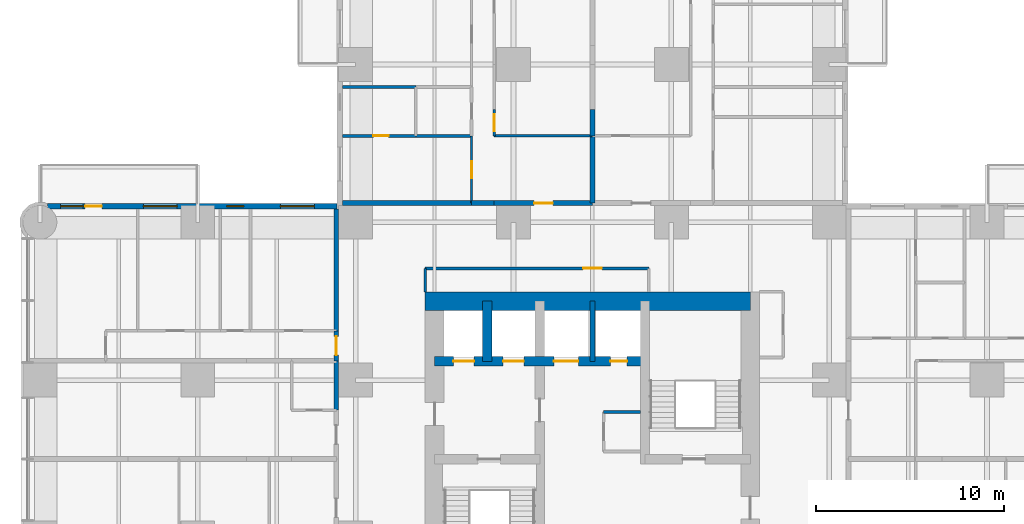
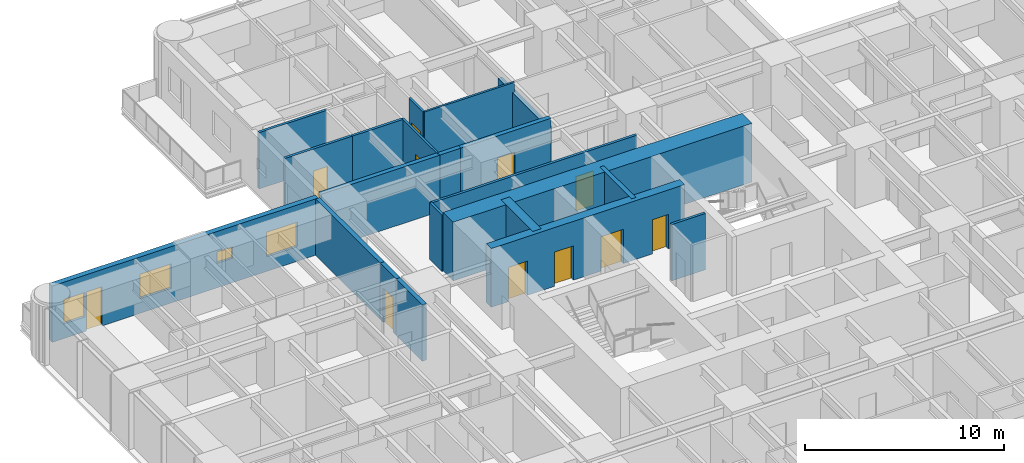
# One storey, part 12 of 17: 22 walls, 11 doors, 4 windows, 15 openings.
"""IFC4 building model written with IfcOpenShell, lengths in metres."""

import ifcopenshell
import ifcopenshell.guid

model = None  # the IFC model being written
_history = None  # IfcOwnerHistory: only IFC2X3 demands one
_inside = {}  # id of a spatial element -> (the spatial element, [elements in it])
_under = {}  # id of a project, library or spatial element -> (it, [spatial elements below it])
_declared = {}  # id of a project -> (the project, [libraries it declares])
_typed = {}  # id of a type object -> (the type object, [elements of that type])
_made_of = {}  # id of a material, layer set ... -> (it, [elements and type objects made of it])


def new_model(schema):
    """Start an empty IFC model of exactly this schema.

    Asked for "IFC4X3", IfcOpenShell would pick the latest addendum, in which some entities
    have other attributes; the version numbers below select the first issue.
    IFC2X3 requires an IfcOwnerHistory on every rooted entity: one is made here for all.
    """
    global model, _history
    if schema == "IFC4X3":
        model = ifcopenshell.file(schema_version=(4, 3, 0, 0))
    else:
        model = ifcopenshell.file(schema=schema)
    _inside.clear()
    _under.clear()
    _declared.clear()
    _typed.clear()
    _made_of.clear()
    _history = None
    if model.schema == "IFC2X3":
        org = make("IfcOrganization", Name="unknown")
        user = make(
            "IfcPersonAndOrganization",
            ThePerson=make("IfcPerson", FamilyName="unknown"),
            TheOrganization=org,
        )
        app = make(
            "IfcApplication",
            ApplicationDeveloper=org,
            Version="unknown",
            ApplicationFullName="unknown",
            ApplicationIdentifier="unknown",
        )
        _history = make(
            "IfcOwnerHistory",
            OwningUser=user,
            OwningApplication=app,
            ChangeAction="ADDED",
            CreationDate=0,
        )
    return model


def make(cls, **values):
    """One entity of the class cls with the attributes given. An attribute that is None is left unset."""
    return model.create_entity(
        cls, **{name: value for name, value in values.items() if value is not None}
    )


def rooted(cls, **values):
    """An entity with a GlobalId (a new one), such as an element, a storey or a relation."""
    return make(cls, GlobalId=ifcopenshell.guid.new(), OwnerHistory=_history, **values)


def si_unit(unit_type, name, prefix=None):
    """IfcSIUnit, for example si_unit("LENGTHUNIT", "METRE", prefix="MILLI")."""
    return make("IfcSIUnit", UnitType=unit_type, Prefix=prefix, Name=name)


def assignment(units):
    """IfcUnitAssignment: the units of a project."""
    return None if units is None else make("IfcUnitAssignment", Units=units)


def point(xyz):
    """IfcCartesianPoint."""
    return None if xyz is None else make("IfcCartesianPoint", Coordinates=xyz)


def direction(xyz):
    """IfcDirection."""
    return None if xyz is None else make("IfcDirection", DirectionRatios=xyz)


def frame(location, z_axis=None, x_axis=None):
    """IfcAxis2Placement3D, a coordinate frame: its origin and axes. An axis left out is left unset."""
    return make(
        "IfcAxis2Placement3D",
        Location=point(location),
        Axis=direction(z_axis),
        RefDirection=direction(x_axis),
    )


def frame_2d(location, x_axis=None):
    """IfcAxis2Placement2D, a coordinate frame in the plane: its origin and x axis."""
    return make(
        "IfcAxis2Placement2D", Location=point(location), RefDirection=direction(x_axis)
    )


def origin():
    """The frame at (0, 0, 0) with its axes left unset."""
    return frame((0.0, 0.0, 0.0))


def place(relative_to, where):
    """IfcLocalPlacement: puts the frame where relative to a parent placement (None: the world)."""
    return make(
        "IfcLocalPlacement", PlacementRelTo=relative_to, RelativePlacement=where
    )


def context(
    kind, dimensions, precision=None, world=None, true_north=None, identifier=None
):
    """IfcGeometricRepresentationContext, for example the 3D "Model" context."""
    return make(
        "IfcGeometricRepresentationContext",
        ContextIdentifier=identifier,
        ContextType=kind,
        CoordinateSpaceDimension=dimensions,
        Precision=precision,
        WorldCoordinateSystem=world,
        TrueNorth=true_north,
    )


def subcontext(parent, identifier, kind, view, scale=None):
    """IfcGeometricRepresentationSubContext, for example "Body" below "Model"."""
    return make(
        "IfcGeometricRepresentationSubContext",
        ContextIdentifier=identifier,
        ContextType=kind,
        ParentContext=parent,
        TargetScale=scale,
        TargetView=view,
    )


def project(units=None, contexts=None):
    """IfcProject with its units and contexts."""
    return rooted(
        "IfcProject",
        Name="project",
        RepresentationContexts=contexts,
        UnitsInContext=assignment(units),
    )


def spatial(cls, under=None, at=None, **own):
    """A site, building, storey or space (cls), placed at a placement, below another one or the project."""
    s = rooted(cls, ObjectPlacement=at, **own)
    if under is not None:
        _under.setdefault(under.id(), (under, []))[1].append(s)
    return s


def profile(cls, at=None, kind="AREA", **sizes):
    """A parametric profile (cls). Its sizes go by their IFC names, for example OverallWidth=200.0."""
    return make(cls, ProfileType=kind, Position=at, **sizes)


def rectangle(**sizes):
    """IfcRectangleProfileDef."""
    return profile("IfcRectangleProfileDef", **sizes)


def extrude(swept, where, along, depth):
    """IfcExtrudedAreaSolid: the profile swept, set in the frame where, extruded along a direction by depth."""
    return make(
        "IfcExtrudedAreaSolid",
        SweptArea=swept,
        Position=where,
        ExtrudedDirection=direction(along),
        Depth=depth,
    )


def shape(context_of_items, identifier, shape_type, items):
    """IfcShapeRepresentation: the items that make up one representation, for example the "Body"."""
    return make(
        "IfcShapeRepresentation",
        ContextOfItems=context_of_items,
        RepresentationIdentifier=identifier,
        RepresentationType=shape_type,
        Items=items,
    )


def material(Name=None, Category=None):
    """IfcMaterial."""
    return make("IfcMaterial", Name=Name, Category=Category)


def layer(
    of_material, thickness, ventilated=None, Name=None, Category=None, Priority=None
):
    """IfcMaterialLayer: one layer of a wall or slab, of a material (None: an air gap)."""
    return make(
        "IfcMaterialLayer",
        Material=of_material,
        LayerThickness=thickness,
        IsVentilated=ventilated,
        Name=Name,
        Category=Category,
        Priority=Priority,
    )


def layer_set(layers, Name=None):
    """IfcMaterialLayerSet."""
    return make("IfcMaterialLayerSet", MaterialLayers=layers, LayerSetName=Name)


def made_of(thing, what):
    """Note that an element or type object is made of a material, layer set ...; save() writes the relation."""
    if what is not None:
        _made_of.setdefault(what.id(), (what, []))[1].append(thing)
    return thing


def type_object(cls, material=None, **own):
    """A type object (cls), such as IfcWallType, which elements share."""
    return made_of(rooted(cls, **own), material)


def element(
    cls,
    number,
    at=None,
    inside=None,
    cuts=None,
    type_object=None,
    material=None,
    context=None,
    identifier="Body",
    shape_type=None,
    held_by="IfcProductDefinitionShape",
    body=None,
    shapes=None,
    **own,
):
    """One element of the class cls, such as IfcWall. Its Tag is "e" and its number.

    at: its placement. inside: the storey or other place that contains it. cuts: it is an
    opening in that element (IfcRelVoidsElement). A single representation is given by context,
    identifier, shape_type and body (its items); several are given by shapes. held_by: the class
    of the entity that holds the representations. save() writes the other relations.
    """
    e = rooted(cls, Tag="e%d" % number, ObjectPlacement=at, **own)
    if body is not None:
        shapes = [shape(context, identifier, shape_type, body)]
    if shapes is not None:
        e.Representation = make(held_by, Representations=shapes)
    if inside is not None:
        _inside.setdefault(inside.id(), (inside, []))[1].append(e)
    if cuts is not None:
        rooted(
            "IfcRelVoidsElement", RelatingBuildingElement=cuts, RelatedOpeningElement=e
        )
    if type_object is not None:
        _typed.setdefault(type_object.id(), (type_object, []))[1].append(e)
    return made_of(e, material)


def fill(opening, filler):
    """IfcRelFillsElement: the door or window that sits in an opening."""
    return rooted(
        "IfcRelFillsElement",
        RelatingOpeningElement=opening,
        RelatedBuildingElement=filler,
    )


def aggregate(whole, parts):
    """IfcRelAggregates: a whole, such as a stair, and the parts it consists of."""
    return rooted("IfcRelAggregates", RelatingObject=whole, RelatedObjects=parts)


def save(model, path):
    """Write the relations noted so far, then the file.

    IfcRelAggregates (storeys below a building ...), IfcRelContainedInSpatialStructure (elements
    in a storey), IfcRelDefinesByType, IfcRelAssociatesMaterial and IfcRelDeclares: one each for
    every whole, place, type object, material and project.
    """
    for whole, parts in _under.values():
        aggregate(whole, parts)
    for where, things in _inside.values():
        rooted(
            "IfcRelContainedInSpatialStructure",
            RelatedElements=things,
            RelatingStructure=where,
        )
    for kind, things in _typed.values():
        rooted("IfcRelDefinesByType", RelatedObjects=things, RelatingType=kind)
    for what, things in _made_of.values():
        rooted("IfcRelAssociatesMaterial", RelatedObjects=things, RelatingMaterial=what)
    for by, libraries in _declared.values():
        rooted("IfcRelDeclares", RelatingContext=by, RelatedDefinitions=libraries)
    model.write(path)


model = new_model("IFC4")

# Units and contexts
model_context = context("Model", 3, precision=1e-05, world=origin(), true_north=direction((0.0, 1.0)))
body_context = subcontext(model_context, "Body", "Model", "MODEL_VIEW")
ifc_project = project(units=[si_unit("LENGTHUNIT", "METRE"), si_unit("AREAUNIT", "SQUARE_METRE"), si_unit("VOLUMEUNIT", "CUBIC_METRE"), si_unit("PLANEANGLEUNIT", "RADIAN"), si_unit("MASSUNIT", "GRAM", prefix="KILO")], contexts=[model_context])

# Site, building, storey
site_placement = place(None, origin())
site = spatial("IfcSite", under=ifc_project, at=site_placement, CompositionType="ELEMENT")
building_placement = place(site_placement, origin())
building = spatial("IfcBuilding", under=site, at=building_placement, Name="Torre Alcanfor", CompositionType="ELEMENT")
storey_placement = place(building_placement, frame((0.0, 0.0, 48.89990234375)))
storey = spatial("IfcBuildingStorey", under=building, at=storey_placement, Name="L11", CompositionType="ELEMENT", Elevation=48.89990234375)

# Wall, opening, door
ifc_material_1 = material(Name="Concrete block masonry, hollow blocks NMX-C-404 9 MPa", Category="masonry")
ifc_layer_1 = layer(ifc_material_1, 0.25)
ifc_layer_set_1 = layer_set([ifc_layer_1], Name="Apartment entrance wall 250 EI 60")
wall_type_1 = type_object("IfcWallType", Name="Apartment entrance wall 250 EI 60", PredefinedType="PARTITIONING", material=ifc_layer_set_1)
wall_1_placement = place(storey_placement, frame((24.1708984375, 43.02490234375, 0.0), z_axis=(0.0, 0.0, 1.0), x_axis=(1.0, 0.0, 0.0)))
wall_1 = element("IfcWall", 1, at=wall_1_placement, inside=storey, type_object=wall_type_1, Name="Partition L11-CORR / L11-N1-ZAG", PredefinedType="PARTITIONING", context=body_context, shape_type="SweptSolid", body=[
    extrude(rectangle(XDim=5.22900390625, YDim=0.25, at=frame_2d((2.614501953125, 0.0))), origin(), (0.0, 0.0, 1.0), 3.4501953125),
])
opening_1_placement = place(wall_1_placement, frame((2.12890625, 0.0, 0.0)))
opening_1 = element("IfcOpeningElement", 2, at=opening_1_placement, cuts=wall_1, Name="Opening D-A1", PredefinedType="OPENING", context=body_context, shape_type="SweptSolid", body=[
    extrude(rectangle(XDim=1.0, YDim=2.10009765625, at=frame_2d((0.5, 1.050048828125))), frame((0.0, 0.135009765625, 0.0), z_axis=(0.0, -1.0, 0.0), x_axis=(1.0, 0.0, 0.0)), (0.0, 0.0, 1.0), 0.27001953125),
])
ifc_material_2 = material(Name="Galvanised steel sheet ASTM A653", Category="steel")
door_type_1 = type_object("IfcDoorType", Name="Apartment entrance door FD60 1000x2100", OperationType="SINGLE_SWING_LEFT", PredefinedType="DOOR", material=ifc_material_2)
door_1_placement = place(opening_1_placement, origin())
door_1 = element("IfcDoor", 3, at=door_1_placement, inside=storey, type_object=door_type_1, Name="Apartment entrance L11-N1", OperationType="SINGLE_SWING_RIGHT", OverallHeight=2.10009765625, OverallWidth=1.0, PredefinedType="DOOR", context=body_context, shape_type="SweptSolid", body=[
    extrude(rectangle(XDim=1.0, YDim=2.10009765625, at=frame_2d((0.5, 1.050048828125))), frame((0.0, 0.02490234375, 0.0), z_axis=(0.0, -1.0, 0.0), x_axis=(1.0, 0.0, 0.0)), (0.0, 0.0, 1.0), 0.050048828125),
])
fill(opening_1, door_1)

# Walls
wall_2_placement = place(storey_placement, frame((22.970947265625, 43.02490234375, 0.0), z_axis=(0.0, 0.0, 1.0), x_axis=(1.0, 0.0, 0.0)))
element("IfcWall", 4, at=wall_2_placement, inside=storey, type_object=wall_type_1, Name="Partition L11-CORR / L11-N1-HALL", PredefinedType="PARTITIONING", context=body_context, shape_type="SweptSolid", body=[
    extrude(rectangle(XDim=1.199951171875, YDim=0.25, at=frame_2d((0.60009765625, 0.0))), origin(), (0.0, 0.0, 1.0), 3.4501953125),
])
wall_3_placement = place(storey_placement, frame((16.10009765625, 43.02490234375, 0.0), z_axis=(0.0, 0.0, 1.0), x_axis=(1.0, 0.0, 0.0)))
element("IfcWall", 5, at=wall_3_placement, inside=storey, type_object=wall_type_1, Name="Partition L11-CORR / L11-N1-SERV", PredefinedType="PARTITIONING", context=body_context, shape_type="SweptSolid", body=[
    extrude(rectangle(XDim=6.870849609375, YDim=0.25, at=frame_2d((3.435546875, 0.0))), origin(), (0.0, 0.0, 1.0), 3.4501953125),
])
wall_4_placement = place(storey_placement, frame((15.77490234375, 32.0, 0.0), z_axis=(0.0, 0.0, 1.0), x_axis=(0.0, 1.0, 0.0)))
element("IfcWall", 6, at=wall_4_placement, inside=storey, type_object=wall_type_1, Name="Partition L11-CORR / L11-W2A-BATH", PredefinedType="PARTITIONING", context=body_context, shape_type="SweptSolid", body=[
    extrude(rectangle(XDim=2.62890625, YDim=0.25, at=frame_2d((1.314453125, 0.0))), origin(), (0.0, 0.0, 1.0), 3.4501953125),
])

# Wall, opening, door
wall_5_placement = place(storey_placement, frame((15.77490234375, 34.62890625, 0.0), z_axis=(0.0, 0.0, 1.0), x_axis=(0.0, 1.0, 0.0)))
wall_5 = element("IfcWall", 7, at=wall_5_placement, inside=storey, type_object=wall_type_1, Name="Partition L11-CORR / L11-W2B-HALL", PredefinedType="PARTITIONING", context=body_context, shape_type="SweptSolid", body=[
    extrude(rectangle(XDim=1.60009765625, YDim=0.25, at=frame_2d((0.800048828125, 0.0))), origin(), (0.0, 0.0, 1.0), 3.4501953125),
])
opening_2_placement = place(wall_5_placement, frame((0.300048828125, 0.0, 0.0)))
opening_2 = element("IfcOpeningElement", 8, at=opening_2_placement, cuts=wall_5, Name="Opening D-A1", PredefinedType="OPENING", context=body_context, shape_type="SweptSolid", body=[
    extrude(rectangle(XDim=1.0, YDim=2.10009765625, at=frame_2d((0.5, 1.050048828125))), frame((0.0, 0.135009765625, 0.0), z_axis=(0.0, -1.0, 0.0), x_axis=(1.0, 0.0, 0.0)), (0.0, 0.0, 1.0), 0.27001953125),
])
door_2_placement = place(opening_2_placement, origin())
door_2 = element("IfcDoor", 9, at=door_2_placement, inside=storey, type_object=door_type_1, Name="Apartment entrance L11-W2B", OperationType="SINGLE_SWING_LEFT", OverallHeight=2.10009765625, OverallWidth=1.0, PredefinedType="DOOR", context=body_context, shape_type="SweptSolid", body=[
    extrude(rectangle(XDim=1.0, YDim=2.10009765625, at=frame_2d((0.5, 1.050048828125))), frame((0.0, 0.02490234375, 0.0), z_axis=(0.0, -1.0, 0.0), x_axis=(1.0, 0.0, 0.0)), (0.0, 0.0, 1.0), 0.050048828125),
])
fill(opening_2, door_2)

# Walls
wall_6_placement = place(storey_placement, frame((15.77490234375, 36.22900390625, 0.0), z_axis=(0.0, 0.0, 1.0), x_axis=(0.0, 1.0, 0.0)))
element("IfcWall", 10, at=wall_6_placement, inside=storey, type_object=wall_type_1, Name="Partition L11-CORR / L11-W2B-MASTER", PredefinedType="PARTITIONING", context=body_context, shape_type="SweptSolid", body=[
    extrude(rectangle(XDim=6.470947265625, YDim=0.25, at=frame_2d((3.2353515625, 0.0))), origin(), (0.0, 0.0, 1.0), 3.4501953125),
])
ifc_material_3 = material(Name="Gypsum board on steel studs", Category="steel")
ifc_layer_2 = layer(ifc_material_3, 0.1201171875)
ifc_layer_set_2 = layer_set([ifc_layer_2], Name="Apartment partition 120")
wall_type_2 = type_object("IfcWallType", Name="Apartment partition 120", PredefinedType="PARTITIONING", material=ifc_layer_set_2)
wall_7_placement = place(storey_placement, frame((29.39990234375, 46.60009765625, 0.0), z_axis=(0.0, 0.0, 1.0), x_axis=(-1.0, 0.0, 0.0)))
element("IfcWall", 11, at=wall_7_placement, inside=storey, type_object=wall_type_2, Name="Partition L11-N1-ZAG / L11-N1-LAUND", PredefinedType="PARTITIONING", context=body_context, shape_type="SweptSolid", body=[
    extrude(rectangle(XDim=5.22900390625, YDim=0.1201171875, at=frame_2d((2.614501953125, 0.0))), origin(), (0.0, 0.0, 1.0), 3.4501953125),
])

# Wall, opening, door
wall_8_placement = place(storey_placement, frame((24.1708984375, 48.0, 0.0), z_axis=(0.0, 0.0, 1.0), x_axis=(0.0, -1.0, 0.0)))
wall_8 = element("IfcWall", 12, at=wall_8_placement, inside=storey, type_object=wall_type_2, Name="Partition L11-N1-LAUND / L11-N1-HALL", PredefinedType="PARTITIONING", context=body_context, shape_type="SweptSolid", body=[
    extrude(rectangle(XDim=1.39990234375, YDim=0.1201171875, at=frame_2d((0.699951171875, 0.0))), origin(), (0.0, 0.0, 1.0), 3.4501953125),
])
opening_3_placement = place(wall_8_placement, frame((0.25, 0.0, 0.0)))
opening_3 = element("IfcOpeningElement", 13, at=opening_3_placement, cuts=wall_8, Name="Opening D-R1", PredefinedType="OPENING", context=body_context, shape_type="SweptSolid", body=[
    extrude(rectangle(XDim=0.89990234375, YDim=2.10009765625, at=frame_2d((0.449951171875, 1.050048828125))), frame((0.0, 0.070068359375, 0.0), z_axis=(0.0, -1.0, 0.0), x_axis=(1.0, 0.0, 0.0)), (0.0, 0.0, 1.0), 0.14013671875),
])
ifc_material_4 = material(Name="Timber", Category="wood")
door_type_2 = type_object("IfcDoorType", Name="Internal door 900x2100", OperationType="SINGLE_SWING_LEFT", PredefinedType="DOOR", material=ifc_material_4)
door_3_placement = place(opening_3_placement, origin())
door_3 = element("IfcDoor", 14, at=door_3_placement, inside=storey, type_object=door_type_2, Name="Door L11-N1 laund", OperationType="SINGLE_SWING_LEFT", OverallHeight=2.10009765625, OverallWidth=0.89990234375, PredefinedType="DOOR", context=body_context, shape_type="SweptSolid", body=[
    extrude(rectangle(XDim=0.89990234375, YDim=2.10009765625, at=frame_2d((0.449951171875, 1.050048828125))), frame((0.0, 0.02490234375, 0.0), z_axis=(0.0, -1.0, 0.0), x_axis=(1.0, 0.0, 0.0)), (0.0, 0.0, 1.0), 0.050048828125),
])
fill(opening_3, door_3)

wall_9_placement = place(storey_placement, frame((22.970947265625, 46.60009765625, 0.0), z_axis=(0.0, 0.0, 1.0), x_axis=(0.0, -1.0, 0.0)))
wall_9 = element("IfcWall", 15, at=wall_9_placement, inside=storey, type_object=wall_type_2, Name="Partition L11-N1-HALL / L11-N1-SERV", PredefinedType="PARTITIONING", context=body_context, shape_type="SweptSolid", body=[
    extrude(rectangle(XDim=3.5751953125, YDim=0.1201171875, at=frame_2d((1.78759765625, 0.0))), origin(), (0.0, 0.0, 1.0), 3.4501953125),
])
opening_4_placement = place(wall_9_placement, frame((1.35009765625, 0.0, 0.0)))
opening_4 = element("IfcOpeningElement", 16, at=opening_4_placement, cuts=wall_9, Name="Opening D-R1", PredefinedType="OPENING", context=body_context, shape_type="SweptSolid", body=[
    extrude(rectangle(XDim=0.89990234375, YDim=2.10009765625, at=frame_2d((0.449951171875, 1.050048828125))), frame((0.0, 0.070068359375, 0.0), z_axis=(0.0, -1.0, 0.0), x_axis=(1.0, 0.0, 0.0)), (0.0, 0.0, 1.0), 0.14013671875),
])
door_4_placement = place(opening_4_placement, frame((0.89990234375, 0.0, 0.0), z_axis=(0.0, 0.0, 1.0), x_axis=(-1.0, 0.0, 0.0)))
door_4 = element("IfcDoor", 17, at=door_4_placement, inside=storey, type_object=door_type_2, Name="Door L11-N1 serv", OperationType="SINGLE_SWING_LEFT", OverallHeight=2.10009765625, OverallWidth=0.89990234375, PredefinedType="DOOR", context=body_context, shape_type="SweptSolid", body=[
    extrude(rectangle(XDim=0.89990234375, YDim=2.10009765625, at=frame_2d((0.449951171875, 1.050048828125))), frame((0.0, 0.025146484375, 0.0), z_axis=(0.0, -1.0, 0.0), x_axis=(1.0, 0.0, 0.0)), (0.0, 0.0, 1.0), 0.050048828125),
])
fill(opening_4, door_4)

# Wall, openings, doors
ifc_material_5 = material(Name="Concrete f'c 70 MPa", Category="concrete")
ifc_layer_3 = layer(ifc_material_5, 0.5)
ifc_layer_set_3 = layer_set([ifc_layer_3], Name="Core inner wall 500 f'c70")
wall_type_3 = type_object("IfcWallType", Name="Core inner wall 500 f'c70", PredefinedType="SHEAR", material=ifc_layer_set_3)
wall_10_placement = place(storey_placement, frame((21.0, 34.60009765625, 0.0), z_axis=(0.0, 0.0, 1.0), x_axis=(1.0, 0.0, 0.0)))
wall_10 = element("IfcWall", 18, at=wall_10_placement, inside=storey, type_object=wall_type_3, Name="Core wall Y346 L11", PredefinedType="SHEAR", context=body_context, shape_type="SweptSolid", body=[
    extrude(rectangle(XDim=11.199951171875, YDim=0.5, at=frame_2d((5.60009765625, 0.0))), origin(), (0.0, 0.0, 1.0), 3.60009765625),
])
opening_5_placement = place(wall_10_placement, frame((9.35009765625, 0.0, 0.0)))
opening_5 = element("IfcOpeningElement", 19, at=opening_5_placement, cuts=wall_10, Name="Opening D-Q1", PredefinedType="OPENING", context=body_context, shape_type="SweptSolid", body=[
    extrude(rectangle(XDim=0.89990234375, YDim=2.10009765625, at=frame_2d((0.449951171875, 1.050048828125))), frame((0.0, 0.260009765625, 0.0), z_axis=(0.0, -1.0, 0.0), x_axis=(1.0, 0.0, 0.0)), (0.0, 0.0, 1.0), 0.52001953125),
])
opening_6_placement = place(wall_10_placement, frame((1.0, 0.0, 0.0)))
opening_6 = element("IfcOpeningElement", 20, at=opening_6_placement, cuts=wall_10, Name="Opening LD2", PredefinedType="OPENING", context=body_context, shape_type="SweptSolid", body=[
    extrude(rectangle(XDim=1.10009765625, YDim=2.10009765625, at=frame_2d((0.550048828125, 1.050048828125))), frame((0.0, 0.260009765625, 0.0), z_axis=(0.0, -1.0, 0.0), x_axis=(1.0, 0.0, 0.0)), (0.0, 0.0, 1.0), 0.52001953125),
])
opening_7_placement = place(wall_10_placement, frame((3.64990234375, 0.0, 0.0)))
opening_7 = element("IfcOpeningElement", 21, at=opening_7_placement, cuts=wall_10, Name="Opening LD2", PredefinedType="OPENING", context=body_context, shape_type="SweptSolid", body=[
    extrude(rectangle(XDim=1.10009765625, YDim=2.10009765625, at=frame_2d((0.550048828125, 1.050048828125))), frame((0.0, 0.260009765625, 0.0), z_axis=(0.0, -1.0, 0.0), x_axis=(1.0, 0.0, 0.0)), (0.0, 0.0, 1.0), 0.52001953125),
])
opening_8_placement = place(wall_10_placement, frame((6.35009765625, 0.0, 0.0)))
opening_8 = element("IfcOpeningElement", 22, at=opening_8_placement, cuts=wall_10, Name="Opening LD3", PredefinedType="OPENING", context=body_context, shape_type="SweptSolid", body=[
    extrude(rectangle(XDim=1.300048828125, YDim=2.10009765625, at=frame_2d((0.64990234375, 1.050048828125))), frame((0.0, 0.260009765625, 0.0), z_axis=(0.0, -1.0, 0.0), x_axis=(1.0, 0.0, 0.0)), (0.0, 0.0, 1.0), 0.52001953125),
])
ifc_material_6 = material(Name="Galvanised steel sheet ASTM A653", Category="steel")
door_type_3 = type_object("IfcDoorType", Name="Firefighting lift landing door 1100x2100", OperationType="DOUBLE_DOOR_SLIDING", PredefinedType="DOOR", material=ifc_material_6)
door_5_placement = place(opening_6_placement, origin())
door_5 = element("IfcDoor", 23, at=door_5_placement, inside=storey, type_object=door_type_3, Name="Lift landing door FL1 L11", OperationType="DOUBLE_DOOR_SLIDING", OverallHeight=2.10009765625, OverallWidth=1.10009765625, PredefinedType="DOOR", context=body_context, shape_type="SweptSolid", body=[
    extrude(rectangle(XDim=1.10009765625, YDim=2.10009765625, at=frame_2d((0.550048828125, 1.050048828125))), frame((0.0, 0.02490234375, 0.0), z_axis=(0.0, -1.0, 0.0), x_axis=(1.0, 0.0, 0.0)), (0.0, 0.0, 1.0), 0.050048828125),
])
fill(opening_6, door_5)
door_6_placement = place(opening_7_placement, origin())
door_6 = element("IfcDoor", 24, at=door_6_placement, inside=storey, type_object=door_type_3, Name="Lift landing door FL2 L11", OperationType="DOUBLE_DOOR_SLIDING", OverallHeight=2.10009765625, OverallWidth=1.10009765625, PredefinedType="DOOR", context=body_context, shape_type="SweptSolid", body=[
    extrude(rectangle(XDim=1.10009765625, YDim=2.10009765625, at=frame_2d((0.550048828125, 1.050048828125))), frame((0.0, 0.02490234375, 0.0), z_axis=(0.0, -1.0, 0.0), x_axis=(1.0, 0.0, 0.0)), (0.0, 0.0, 1.0), 0.050048828125),
])
fill(opening_7, door_6)
ifc_material_7 = material(Name="Galvanised steel sheet ASTM A653", Category="steel")
door_type_4 = type_object("IfcDoorType", Name="Riser access door FD120 900x2100", OperationType="SINGLE_SWING_LEFT", PredefinedType="DOOR", material=ifc_material_7)
door_7_placement = place(opening_5_placement, origin())
door_7 = element("IfcDoor", 25, at=door_7_placement, inside=storey, type_object=door_type_4, Name="Riser door L11", OperationType="SINGLE_SWING_LEFT", OverallHeight=2.10009765625, OverallWidth=0.89990234375, PredefinedType="DOOR", context=body_context, shape_type="SweptSolid", body=[
    extrude(rectangle(XDim=0.89990234375, YDim=2.10009765625, at=frame_2d((0.449951171875, 1.050048828125))), frame((0.0, 0.02490234375, 0.0), z_axis=(0.0, -1.0, 0.0), x_axis=(1.0, 0.0, 0.0)), (0.0, 0.0, 1.0), 0.050048828125),
])
fill(opening_5, door_7)
ifc_material_8 = material(Name="Galvanised steel sheet ASTM A653", Category="steel")
door_type_5 = type_object("IfcDoorType", Name="Service lift landing door 1300x2100", OperationType="DOUBLE_DOOR_SLIDING", PredefinedType="DOOR", material=ifc_material_8)
door_8_placement = place(opening_8_placement, origin())
door_8 = element("IfcDoor", 26, at=door_8_placement, inside=storey, type_object=door_type_5, Name="Lift landing door SL1 L11", OperationType="DOUBLE_DOOR_SLIDING", OverallHeight=2.10009765625, OverallWidth=1.300048828125, PredefinedType="DOOR", context=body_context, shape_type="SweptSolid", body=[
    extrude(rectangle(XDim=1.300048828125, YDim=2.10009765625, at=frame_2d((0.64990234375, 1.050048828125))), frame((0.0, 0.02490234375, 0.0), z_axis=(0.0, -1.0, 0.0), x_axis=(1.0, 0.0, 0.0)), (0.0, 0.0, 1.0), 0.050048828125),
])
fill(opening_8, door_8)

# Walls
wall_11_placement = place(storey_placement, frame((23.800048828125, 34.60009765625, 0.0), z_axis=(0.0, 0.0, 1.0), x_axis=(0.0, 1.0, 0.0)))
element("IfcWall", 27, at=wall_11_placement, inside=storey, type_object=wall_type_3, Name="Core wall X238 L11", PredefinedType="SHEAR", context=body_context, shape_type="SweptSolid", body=[
    extrude(rectangle(XDim=3.199951171875, YDim=0.5, at=frame_2d((1.60009765625, 0.0))), origin(), (0.0, 0.0, 1.0), 3.60009765625),
])
ifc_material_9 = material(Name="Concrete f'c 70 MPa", Category="concrete")
ifc_layer_4 = layer(ifc_material_9, 0.25)
ifc_layer_set_4 = layer_set([ifc_layer_4], Name="Core shaft wall 250 f'c70")
wall_type_4 = type_object("IfcWallType", Name="Core shaft wall 250 f'c70", PredefinedType="SHEAR", material=ifc_layer_set_4)
wall_12_placement = place(storey_placement, frame((29.39990234375, 34.60009765625, 0.0), z_axis=(0.0, 0.0, 1.0), x_axis=(0.0, 1.0, 0.0)))
element("IfcWall", 28, at=wall_12_placement, inside=storey, type_object=wall_type_4, Name="Core wall X294N L11", PredefinedType="SHEAR", context=body_context, shape_type="SweptSolid", body=[
    extrude(rectangle(XDim=3.199951171875, YDim=0.25, at=frame_2d((1.60009765625, 0.0))), origin(), (0.0, 0.0, 1.0), 3.60009765625),
])
ifc_material_10 = material(Name="Concrete f'c 70 MPa", Category="concrete")
ifc_layer_5 = layer(ifc_material_10, 1.0)
ifc_layer_set_5 = layer_set([ifc_layer_5], Name="Core wall 1000 f'c70")
wall_type_5 = type_object("IfcWallType", Name="Core wall 1000 f'c70", PredefinedType="SHEAR", material=ifc_layer_set_5)
wall_13_placement = place(storey_placement, frame((37.800048828125, 37.800048828125, 0.0), z_axis=(0.0, 0.0, 1.0), x_axis=(-1.0, 0.0, 0.0)))
element("IfcWall", 29, at=wall_13_placement, inside=storey, type_object=wall_type_5, Name="Core wall OUT-N L11", PredefinedType="SHEAR", context=body_context, shape_type="SweptSolid", body=[
    extrude(rectangle(XDim=17.300048828125, YDim=1.0, at=frame_2d((8.64990234375, 0.0))), origin(), (0.0, 0.0, 1.0), 3.60009765625),
])

# Wall, openings, door, windows
ifc_material_11 = material(Name="Limestone cladding", Category="masonry")
ifc_layer_6 = layer(ifc_material_11, 0.0400390625, Name="Facing")
ifc_material_12 = material(Name="Ventilated air cavity")
ifc_layer_7 = layer(ifc_material_12, 0.02001953125, ventilated=True, Name="Ventilated joint")
ifc_material_13 = material(Name="Mineral wool insulation", Category="insulation")
ifc_layer_8 = layer(ifc_material_13, 0.10009765625, Name="Insulation")
ifc_material_14 = material(Name="Concrete f'c 35 MPa", Category="concrete")
ifc_layer_9 = layer(ifc_material_14, 0.139892578125, Name="Backing")
ifc_layer_set_6 = layer_set([ifc_layer_6, ifc_layer_7, ifc_layer_8, ifc_layer_9], Name="External wall stone-clad 300")
wall_type_6 = type_object("IfcWallType", Name="External wall stone-clad 300", PredefinedType="SOLIDWALL", material=ifc_layer_set_6)
wall_14_placement = place(storey_placement, frame((15.800048828125, 42.85009765625, 0.0), z_axis=(0.0, 0.0, 1.0), x_axis=(-1.0, 0.0, 0.0)))
wall_14 = element("IfcWall", 30, at=wall_14_placement, inside=storey, type_object=wall_type_6, Name="External wall L11 1", PredefinedType="SOLIDWALL", context=body_context, shape_type="SweptSolid", body=[
    extrude(rectangle(XDim=15.400146484375, YDim=0.300048828125, at=frame_2d((7.7001953125, 0.0))), origin(), (0.0, 0.0, 1.0), 3.4501953125),
])
opening_9_placement = place(wall_14_placement, frame((1.199951171875, 0.0, 0.89990234375)))
opening_9 = element("IfcOpeningElement", 31, at=opening_9_placement, cuts=wall_14, Name="Opening W2", PredefinedType="OPENING", context=body_context, shape_type="SweptSolid", body=[
    extrude(rectangle(XDim=1.800048828125, YDim=1.5, at=frame_2d((0.89990234375, 0.75))), frame((0.0, 0.159912109375, 0.0), z_axis=(0.0, -1.0, 0.0), x_axis=(1.0, 0.0, 0.0)), (0.0, 0.0, 1.0), 0.320068359375),
])
opening_10_placement = place(wall_14_placement, frame((4.949951171875, 0.0, 1.5)))
opening_10 = element("IfcOpeningElement", 32, at=opening_10_placement, cuts=wall_14, Name="Opening W3", PredefinedType="OPENING", context=body_context, shape_type="SweptSolid", body=[
    extrude(rectangle(XDim=0.89990234375, YDim=0.699951171875, at=frame_2d((0.449951171875, 0.35009765625))), frame((0.0, 0.159912109375, 0.0), z_axis=(0.0, -1.0, 0.0), x_axis=(1.0, 0.0, 0.0)), (0.0, 0.0, 1.0), 0.320068359375),
])
opening_11_placement = place(wall_14_placement, frame((8.5, 0.0, 0.89990234375)))
opening_11 = element("IfcOpeningElement", 33, at=opening_11_placement, cuts=wall_14, Name="Opening W2", PredefinedType="OPENING", context=body_context, shape_type="SweptSolid", body=[
    extrude(rectangle(XDim=1.800048828125, YDim=1.5, at=frame_2d((0.89990234375, 0.75))), frame((0.0, 0.159912109375, 0.0), z_axis=(0.0, -1.0, 0.0), x_axis=(1.0, 0.0, 0.0)), (0.0, 0.0, 1.0), 0.320068359375),
])
opening_12_placement = place(wall_14_placement, frame((12.5, 0.0, 0.0)))
opening_12 = element("IfcOpeningElement", 34, at=opening_12_placement, cuts=wall_14, Name="Opening D-B1", PredefinedType="OPENING", context=body_context, shape_type="SweptSolid", body=[
    extrude(rectangle(XDim=0.89990234375, YDim=2.39990234375, at=frame_2d((0.449951171875, 1.199951171875))), frame((0.0, 0.159912109375, 0.0), z_axis=(0.0, -1.0, 0.0), x_axis=(1.0, 0.0, 0.0)), (0.0, 0.0, 1.0), 0.320068359375),
])
opening_13_placement = place(wall_14_placement, frame((13.5, 0.0, 0.89990234375)))
opening_13 = element("IfcOpeningElement", 35, at=opening_13_placement, cuts=wall_14, Name="Opening W4", PredefinedType="OPENING", context=body_context, shape_type="SweptSolid", body=[
    extrude(rectangle(XDim=1.199951171875, YDim=1.5, at=frame_2d((0.60009765625, 0.75))), frame((0.0, 0.159912109375, 0.0), z_axis=(0.0, -1.0, 0.0), x_axis=(1.0, 0.0, 0.0)), (0.0, 0.0, 1.0), 0.320068359375),
])
ifc_material_15 = material(Name="Aluminium and glass", Category="aluminium")
door_type_6 = type_object("IfcDoorType", Name="Balcony door glazed 900x2400", OperationType="SINGLE_SWING_LEFT", PredefinedType="DOOR", material=ifc_material_15)
door_9_placement = place(opening_12_placement, origin())
door_9 = element("IfcDoor", 36, at=door_9_placement, inside=storey, type_object=door_type_6, Name="Balcony door L11-W2", OperationType="SINGLE_SWING_LEFT", OverallHeight=2.39990234375, OverallWidth=0.89990234375, PredefinedType="DOOR", context=body_context, shape_type="SweptSolid", body=[
    extrude(rectangle(XDim=0.89990234375, YDim=2.39990234375, at=frame_2d((0.449951171875, 1.199951171875))), frame((0.0, 0.02490234375, 0.0), z_axis=(0.0, -1.0, 0.0), x_axis=(1.0, 0.0, 0.0)), (0.0, 0.0, 1.0), 0.050048828125),
])
fill(opening_12, door_9)
ifc_material_16 = material(Name="Aluminium frame with clear double glazing", Category="aluminium")
window_type_1 = type_object("IfcWindowType", Name="Window bathroom 900x700", PartitioningType="SINGLE_PANEL", PredefinedType="WINDOW", material=ifc_material_16)
window_1_placement = place(opening_10_placement, origin())
window_1 = element("IfcWindow", 37, at=window_1_placement, inside=storey, type_object=window_type_1, Name="Window W3 L11-W2", OverallHeight=0.699951171875, OverallWidth=0.89990234375, PartitioningType="SINGLE_PANEL", PredefinedType="WINDOW", context=body_context, shape_type="SweptSolid", body=[
    extrude(rectangle(XDim=0.89990234375, YDim=0.699951171875, at=frame_2d((0.449951171875, 0.35009765625))), frame((0.0, 0.030029296875, 0.0), z_axis=(0.0, -1.0, 0.0), x_axis=(1.0, 0.0, 0.0)), (0.0, 0.0, 1.0), 0.06005859375),
])
fill(opening_10, window_1)
ifc_material_17 = material(Name="Aluminium frame with clear double glazing", Category="aluminium")
window_type_2 = type_object("IfcWindowType", Name="Window bedroom 1200x1500", PartitioningType="SINGLE_PANEL", PredefinedType="WINDOW", material=ifc_material_17)
window_2_placement = place(opening_13_placement, origin())
window_2 = element("IfcWindow", 38, at=window_2_placement, inside=storey, type_object=window_type_2, Name="Window W4 L11-W2", OverallHeight=1.5, OverallWidth=1.199951171875, PartitioningType="SINGLE_PANEL", PredefinedType="WINDOW", context=body_context, shape_type="SweptSolid", body=[
    extrude(rectangle(XDim=1.199951171875, YDim=1.5, at=frame_2d((0.60009765625, 0.75))), frame((0.0, 0.030029296875, 0.0), z_axis=(0.0, -1.0, 0.0), x_axis=(1.0, 0.0, 0.0)), (0.0, 0.0, 1.0), 0.06005859375),
])
fill(opening_13, window_2)
ifc_material_18 = material(Name="Aluminium frame with clear double glazing", Category="aluminium")
window_type_3 = type_object("IfcWindowType", Name="Window bedroom 1800x1500", PartitioningType="SINGLE_PANEL", PredefinedType="WINDOW", material=ifc_material_18)
window_3_placement = place(opening_9_placement, origin())
window_3 = element("IfcWindow", 39, at=window_3_placement, inside=storey, type_object=window_type_3, Name="Window W2 L11-W2", OverallHeight=1.5, OverallWidth=1.800048828125, PartitioningType="SINGLE_PANEL", PredefinedType="WINDOW", context=body_context, shape_type="SweptSolid", body=[
    extrude(rectangle(XDim=1.800048828125, YDim=1.5, at=frame_2d((0.89990234375, 0.75))), frame((0.0, 0.030029296875, 0.0), z_axis=(0.0, -1.0, 0.0), x_axis=(1.0, 0.0, 0.0)), (0.0, 0.0, 1.0), 0.06005859375),
])
fill(opening_9, window_3)
window_4_placement = place(opening_11_placement, origin())
window_4 = element("IfcWindow", 40, at=window_4_placement, inside=storey, type_object=window_type_3, Name="Window W2 L11-W2", OverallHeight=1.5, OverallWidth=1.800048828125, PartitioningType="SINGLE_PANEL", PredefinedType="WINDOW", context=body_context, shape_type="SweptSolid", body=[
    extrude(rectangle(XDim=1.800048828125, YDim=1.5, at=frame_2d((0.89990234375, 0.75))), frame((0.0, 0.030029296875, 0.0), z_axis=(0.0, -1.0, 0.0), x_axis=(1.0, 0.0, 0.0)), (0.0, 0.0, 1.0), 0.06005859375),
])
fill(opening_11, window_4)

# Walls
ifc_material_19 = material(Name="Concrete block masonry, hollow blocks NMX-C-404 9 MPa", Category="masonry")
ifc_layer_10 = layer(ifc_material_19, 0.25)
ifc_layer_set_7 = layer_set([ifc_layer_10], Name="Party wall 250 EI 60")
wall_type_7 = type_object("IfcWallType", Name="Party wall 250 EI 60", PredefinedType="PARTITIONING", material=ifc_layer_set_7)
wall_15_placement = place(storey_placement, frame((29.39990234375, 43.02490234375, 0.0), z_axis=(0.0, 0.0, 1.0), x_axis=(0.0, 1.0, 0.0)))
element("IfcWall", 41, at=wall_15_placement, inside=storey, type_object=wall_type_7, Name="Partition L11-N1-ZAG / L11-N2-ZAG", PredefinedType="PARTITIONING", context=body_context, shape_type="SweptSolid", body=[
    extrude(rectangle(XDim=3.5751953125, YDim=0.25, at=frame_2d((1.78759765625, 0.0))), origin(), (0.0, 0.0, 1.0), 2.84814453125),
])
wall_16_placement = place(storey_placement, frame((29.39990234375, 46.60009765625, 0.0), z_axis=(0.0, 0.0, 1.0), x_axis=(0.0, 1.0, 0.0)))
element("IfcWall", 42, at=wall_16_placement, inside=storey, type_object=wall_type_7, Name="Partition L11-N1-LAUND / L11-N2-KITCHEN", PredefinedType="PARTITIONING", context=body_context, shape_type="SweptSolid", body=[
    extrude(rectangle(XDim=1.39990234375, YDim=0.25, at=frame_2d((0.699951171875, 0.0))), origin(), (0.0, 0.0, 1.0), 2.84814453125),
])

# Wall, opening, door
ifc_material_20 = material(Name="Concrete block masonry, hollow blocks NMX-C-404 9 MPa", Category="masonry")
ifc_layer_11 = layer(ifc_material_20, 0.14990234375)
ifc_layer_set_8 = layer_set([ifc_layer_11], Name="Residents' room partition 150")
wall_type_8 = type_object("IfcWallType", Name="Residents' room partition 150", PredefinedType="PARTITIONING", material=ifc_layer_set_8)
wall_17_placement = place(storey_placement, frame((32.39990234375, 39.550048828125, 0.0), z_axis=(0.0, 0.0, 1.0), x_axis=(-1.0, 0.0, 0.0)))
wall_17 = element("IfcWall", 43, at=wall_17_placement, inside=storey, type_object=wall_type_8, Name="Partition L11-CORR / L11-G01", PredefinedType="PARTITIONING", context=body_context, shape_type="SweptSolid", body=[
    extrude(rectangle(XDim=11.89990234375, YDim=0.14990234375, at=frame_2d((5.949951171875, 0.0))), origin(), (0.0, 0.0, 1.0), 3.4501953125),
])
opening_14_placement = place(wall_17_placement, frame((2.5, 0.0, 0.0)))
opening_14 = element("IfcOpeningElement", 44, at=opening_14_placement, cuts=wall_17, Name="Opening D-M1", PredefinedType="OPENING", context=body_context, shape_type="SweptSolid", body=[
    extrude(rectangle(XDim=1.0, YDim=2.10009765625, at=frame_2d((0.5, 1.050048828125))), frame((0.0, 0.0849609375, 0.0), z_axis=(0.0, -1.0, 0.0), x_axis=(1.0, 0.0, 0.0)), (0.0, 0.0, 1.0), 0.169921875),
])
ifc_material_21 = material(Name="Timber", Category="wood")
door_type_7 = type_object("IfcDoorType", Name="Residents' room door 1000x2100", OperationType="SINGLE_SWING_LEFT", PredefinedType="DOOR", material=ifc_material_21)
door_10_placement = place(opening_14_placement, origin())
door_10 = element("IfcDoor", 45, at=door_10_placement, inside=storey, type_object=door_type_7, Name="Door L11-G01 residents' storage lockers", OperationType="SINGLE_SWING_LEFT", OverallHeight=2.10009765625, OverallWidth=1.0, PredefinedType="DOOR", context=body_context, shape_type="SweptSolid", body=[
    extrude(rectangle(XDim=1.0, YDim=2.10009765625, at=frame_2d((0.5, 1.050048828125))), frame((0.0, 0.02490234375, 0.0), z_axis=(0.0, -1.0, 0.0), x_axis=(1.0, 0.0, 0.0)), (0.0, 0.0, 1.0), 0.050048828125),
])
fill(opening_14, door_10)

# Walls
wall_18_placement = place(storey_placement, frame((20.5, 39.550048828125, 0.0), z_axis=(0.0, 0.0, 1.0), x_axis=(0.0, -1.0, 0.0)))
element("IfcWall", 46, at=wall_18_placement, inside=storey, type_object=wall_type_8, Name="Partition L11-CORR / L11-G01", PredefinedType="PARTITIONING", context=body_context, shape_type="SweptSolid", body=[
    extrude(rectangle(XDim=1.25, YDim=0.14990234375, at=frame_2d((0.625, 0.0))), origin(), (0.0, 0.0, 1.0), 3.4501953125),
])
ifc_material_22 = material(Name="Cement board on steel studs", Category="steel")
ifc_layer_12 = layer(ifc_material_22, 0.14990234375)
ifc_layer_set_9 = layer_set([ifc_layer_12], Name="Wet area partition 150")
wall_type_9 = type_object("IfcWallType", Name="Wet area partition 150", PredefinedType="PARTITIONING", material=ifc_layer_set_9)
wall_19_placement = place(storey_placement, frame((22.970947265625, 46.60009765625, 0.0), z_axis=(0.0, 0.0, 1.0), x_axis=(-1.0, 0.0, 0.0)))
element("IfcWall", 47, at=wall_19_placement, inside=storey, type_object=wall_type_9, Name="Partition L11-N1-SERV / L11-N1-BATH1", PredefinedType="PARTITIONING", context=body_context, shape_type="SweptSolid", body=[
    extrude(rectangle(XDim=2.970947265625, YDim=0.14990234375, at=frame_2d((1.4853515625, 0.0))), origin(), (0.0, 0.0, 1.0), 3.4501953125),
])

# Wall, opening, door
wall_20_placement = place(storey_placement, frame((20.0, 46.60009765625, 0.0), z_axis=(0.0, 0.0, 1.0), x_axis=(-1.0, 0.0, 0.0)))
wall_20 = element("IfcWall", 48, at=wall_20_placement, inside=storey, type_object=wall_type_9, Name="Partition L11-N1-SERV / L11-N1-SBATH", PredefinedType="PARTITIONING", context=body_context, shape_type="SweptSolid", body=[
    extrude(rectangle(XDim=3.89990234375, YDim=0.14990234375, at=frame_2d((1.949951171875, 0.0))), origin(), (0.0, 0.0, 1.0), 3.4501953125),
])
opening_15_placement = place(wall_20_placement, frame((1.449951171875, 0.0, 0.0)))
opening_15 = element("IfcOpeningElement", 49, at=opening_15_placement, cuts=wall_20, Name="Opening D-R2", PredefinedType="OPENING", context=body_context, shape_type="SweptSolid", body=[
    extrude(rectangle(XDim=0.800048828125, YDim=2.10009765625, at=frame_2d((0.39990234375, 1.050048828125))), frame((0.0, 0.0849609375, 0.0), z_axis=(0.0, -1.0, 0.0), x_axis=(1.0, 0.0, 0.0)), (0.0, 0.0, 1.0), 0.169921875),
])
ifc_material_23 = material(Name="Timber", Category="wood")
door_type_8 = type_object("IfcDoorType", Name="Bathroom door 800x2100", OperationType="SINGLE_SWING_LEFT", PredefinedType="DOOR", material=ifc_material_23)
door_11_placement = place(opening_15_placement, frame((0.800048828125, 0.0, 0.0), z_axis=(0.0, 0.0, 1.0), x_axis=(-1.0, 0.0, 0.0)))
door_11 = element("IfcDoor", 50, at=door_11_placement, inside=storey, type_object=door_type_8, Name="Door L11-N1 sbath", OperationType="SINGLE_SWING_RIGHT", OverallHeight=2.10009765625, OverallWidth=0.800048828125, PredefinedType="DOOR", context=body_context, shape_type="SweptSolid", body=[
    extrude(rectangle(XDim=0.800048828125, YDim=2.10009765625, at=frame_2d((0.400146484375, 1.050048828125))), frame((0.0, 0.025146484375, 0.0), z_axis=(0.0, -1.0, 0.0), x_axis=(1.0, 0.0, 0.0)), (0.0, 0.0, 1.0), 0.050048828125),
])
fill(opening_15, door_11)

# Walls
wall_21_placement = place(storey_placement, frame((20.0, 49.199951171875, 0.0), z_axis=(0.0, 0.0, 1.0), x_axis=(-1.0, 0.0, 0.0)))
element("IfcWall", 51, at=wall_21_placement, inside=storey, type_object=wall_type_9, Name="Partition L11-N1-SBATH / L11-N1-BED3", PredefinedType="PARTITIONING", context=body_context, shape_type="SweptSolid", body=[
    extrude(rectangle(XDim=3.89990234375, YDim=0.14990234375, at=frame_2d((1.949951171875, 0.0))), origin(), (0.0, 0.0, 1.0), 3.4501953125),
])
wall_22_placement = place(storey_placement, frame((30.0, 31.89990234375, 0.0), z_axis=(0.0, 0.0, 1.0), x_axis=(1.0, 0.0, 0.0)))
element("IfcWall", 52, at=wall_22_placement, inside=storey, type_object=wall_type_9, Name="Partition L11-LL / L11-CR1", PredefinedType="PARTITIONING", context=body_context, shape_type="SweptSolid", body=[
    extrude(rectangle(XDim=1.949951171875, YDim=0.14990234375, at=frame_2d((0.97509765625, 0.0))), origin(), (0.0, 0.0, 1.0), 3.4501953125),
])

save(model, "model.ifc")
